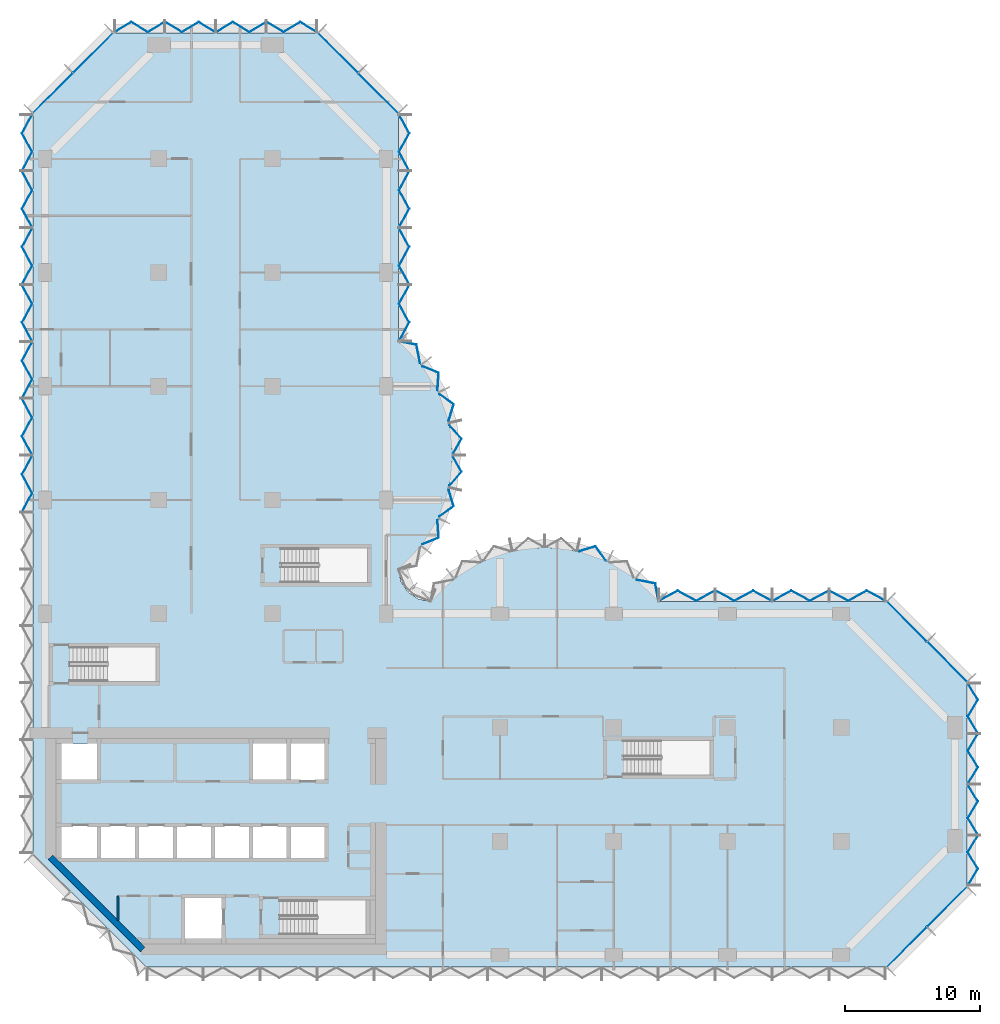
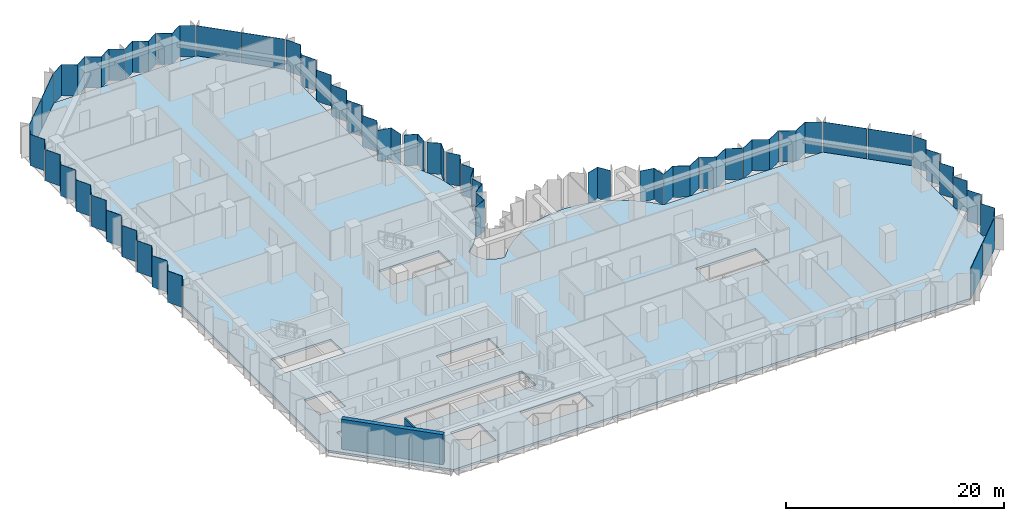
# One storey, part 6 of 13: 40 plates, 2 walls, 1 slab, 11 elements without a shape of their own.
"""IFC4 building model written with IfcOpenShell, lengths in metres."""

from ifc_helpers import new_model, si_unit, direction, frame, frame_2d, origin, place, context, subcontext, project, spatial, polyline, rectangle, outline, extrude, material, layer, layer_set, type_object, element, aggregate, save


model = new_model("IFC4")

# Units and contexts
model_context = context("Model", 3, precision=1e-05, world=origin(), true_north=direction((0.0, 1.0)))
body_context = subcontext(model_context, "Body", "Model", "MODEL_VIEW")
ifc_project = project(units=[si_unit("LENGTHUNIT", "METRE"), si_unit("AREAUNIT", "SQUARE_METRE"), si_unit("VOLUMEUNIT", "CUBIC_METRE"), si_unit("PLANEANGLEUNIT", "RADIAN"), si_unit("MASSUNIT", "GRAM", prefix="KILO")], contexts=[model_context])

# Site, building, storey
site_placement = place(None, origin())
site = spatial("IfcSite", under=ifc_project, at=site_placement, CompositionType="ELEMENT")
building_placement = place(site_placement, origin())
building = spatial("IfcBuilding", under=site, at=building_placement, Name="Brevane Broadcast Tower", CompositionType="ELEMENT")
storey_placement = place(building_placement, frame((0.0, 0.0, 106.10009765625)))
storey = spatial("IfcBuildingStorey", under=building, at=storey_placement, Name="L25", CompositionType="ELEMENT", Elevation=106.10009765625)

# Curtain wall, plates
ifc_material_1 = material(Name="Aluminium 6063-T6 bronze anodised", Category="aluminium")
curtain_wall_type = type_object("IfcCurtainWallType", Name="CW-1 curtain wall", PredefinedType="NOTDEFINED", material=ifc_material_1)
curtain_wall_1_placement = place(storey_placement, origin())
curtain_wall_1 = element("IfcCurtainWall", 1, at=curtain_wall_1_placement, inside=storey, type_object=curtain_wall_type, Name="CW-1 typical tilted unit L25 south-east chamfer", PredefinedType="NOTDEFINED")
ifc_material_2 = material(Name="Laminated glass bronze-tinted", Category="glass")
ifc_layer_1 = layer(ifc_material_2, 0.0400390625)
ifc_layer_set_1 = layer_set([ifc_layer_1], Name="CW tall glass panel 40")
plate_type = type_object("IfcPlateType", Name="CW tall glass panel 40", PredefinedType="CURTAIN_PANEL", material=ifc_layer_set_1)
plate_1_placement = place(storey_placement, frame((0.0, 0.0, -0.150146484375)))
plate_1 = element("IfcPlate", 2, at=plate_1_placement, type_object=plate_type, Name="CW-1 glass panel", PredefinedType="CURTAIN_PANEL", context=body_context, shape_type="SweptSolid", body=[
    extrude(outline(polyline([(62.14599609375, -0.896484375), (65.096435546875, 2.053955078125), (65.124755859375, 2.02587890625), (62.17431640625, -0.9248046875), (62.14599609375, -0.896484375)])), origin(), (0.0, 0.0, 1.0), 3.5),
])
plate_2_placement = place(storey_placement, frame((0.0, 0.0, -0.150146484375)))
plate_2 = element("IfcPlate", 3, at=plate_2_placement, type_object=plate_type, Name="CW-1 glass panel", PredefinedType="CURTAIN_PANEL", context=body_context, shape_type="SweptSolid", body=[
    extrude(outline(polyline([(65.14599609375, 2.103515625), (68.096435546875, 5.053955078125), (68.124755859375, 5.02587890625), (65.17431640625, 2.0751953125), (65.14599609375, 2.103515625)])), origin(), (0.0, 0.0, 1.0), 3.5),
])
aggregate(curtain_wall_1, [plate_1, plate_2])

curtain_wall_2_placement = place(storey_placement, origin())
curtain_wall_2 = element("IfcCurtainWall", 4, at=curtain_wall_2_placement, inside=storey, type_object=curtain_wall_type, Name="CW-1 typical tilted unit L25 east end", PredefinedType="NOTDEFINED")
plate_3_placement = place(storey_placement, frame((0.0, 0.0, -0.150146484375)))
plate_3 = element("IfcPlate", 5, at=plate_3_placement, type_object=plate_type, Name="CW-1 glass panel", PredefinedType="CURTAIN_PANEL", context=body_context, shape_type="SweptSolid", body=[
    extrude(outline(polyline([(68.126708984375, 5.135009765625), (68.17333984375, 5.135009765625), (68.917724609375, 6.36181640625), (68.17333984375, 7.58837890625), (68.917724609375, 8.81494140625), (68.87109375, 8.81494140625), (68.126708984375, 7.58837890625), (68.87109375, 6.36181640625), (68.126708984375, 5.135009765625)])), origin(), (0.0, 0.0, 1.0), 3.5),
])
plate_4_placement = place(storey_placement, frame((0.0, 0.0, -0.150146484375)))
plate_4 = element("IfcPlate", 6, at=plate_4_placement, type_object=plate_type, Name="CW-1 glass panel", PredefinedType="CURTAIN_PANEL", context=body_context, shape_type="SweptSolid", body=[
    extrude(outline(polyline([(68.87109375, 8.885009765625), (68.917724609375, 8.885009765625), (68.17333984375, 10.11181640625), (68.917724609375, 11.33837890625), (68.17333984375, 12.56494140625), (68.126708984375, 12.56494140625), (68.87109375, 11.33837890625), (68.126708984375, 10.11181640625), (68.87109375, 8.885009765625)])), origin(), (0.0, 0.0, 1.0), 3.5),
])
plate_5_placement = place(storey_placement, frame((0.0, 0.0, -0.150146484375)))
plate_5 = element("IfcPlate", 7, at=plate_5_placement, type_object=plate_type, Name="CW-1 glass panel", PredefinedType="CURTAIN_PANEL", context=body_context, shape_type="SweptSolid", body=[
    extrude(outline(polyline([(68.126708984375, 12.635009765625), (68.17333984375, 12.635009765625), (68.917724609375, 13.86181640625), (68.17333984375, 15.08837890625), (68.917724609375, 16.31494140625), (68.87109375, 16.31494140625), (68.126708984375, 15.08837890625), (68.87109375, 13.86181640625), (68.126708984375, 12.635009765625)])), origin(), (0.0, 0.0, 1.0), 3.5),
])
plate_6_placement = place(storey_placement, frame((0.0, 0.0, -0.150146484375)))
plate_6 = element("IfcPlate", 8, at=plate_6_placement, type_object=plate_type, Name="CW-1 glass panel", PredefinedType="CURTAIN_PANEL", context=body_context, shape_type="SweptSolid", body=[
    extrude(outline(polyline([(68.87109375, 16.385009765625), (68.917724609375, 16.385009765625), (68.17333984375, 17.61181640625), (68.917724609375, 18.83837890625), (68.17333984375, 20.06494140625), (68.126708984375, 20.06494140625), (68.87109375, 18.83837890625), (68.126708984375, 17.61181640625), (68.87109375, 16.385009765625)])), origin(), (0.0, 0.0, 1.0), 3.5),
])
aggregate(curtain_wall_2, [plate_3, plate_4, plate_5, plate_6])

curtain_wall_3_placement = place(storey_placement, origin())
curtain_wall_3 = element("IfcCurtainWall", 9, at=curtain_wall_3_placement, inside=storey, type_object=curtain_wall_type, Name="CW-1 typical tilted unit L25 north-east chamfer", PredefinedType="NOTDEFINED")
plate_7_placement = place(storey_placement, frame((0.0, 0.0, -0.150146484375)))
plate_7 = element("IfcPlate", 10, at=plate_7_placement, type_object=plate_type, Name="CW-1 glass panel", PredefinedType="CURTAIN_PANEL", context=body_context, shape_type="SweptSolid", body=[
    extrude(outline(polyline([(68.096435546875, 20.14599609375), (65.14599609375, 23.096435546875), (65.17431640625, 23.124755859375), (68.124755859375, 20.17431640625), (68.096435546875, 20.14599609375)])), origin(), (0.0, 0.0, 1.0), 3.5),
])
plate_8_placement = place(storey_placement, frame((0.0, 0.0, -0.150146484375)))
plate_8 = element("IfcPlate", 11, at=plate_8_placement, type_object=plate_type, Name="CW-1 glass panel", PredefinedType="CURTAIN_PANEL", context=body_context, shape_type="SweptSolid", body=[
    extrude(outline(polyline([(65.096435546875, 23.14599609375), (62.14599609375, 26.096435546875), (62.17431640625, 26.124755859375), (65.124755859375, 23.17431640625), (65.096435546875, 23.14599609375)])), origin(), (0.0, 0.0, 1.0), 3.5),
])
aggregate(curtain_wall_3, [plate_7, plate_8])

curtain_wall_4_placement = place(storey_placement, origin())
curtain_wall_4 = element("IfcCurtainWall", 12, at=curtain_wall_4_placement, inside=storey, type_object=curtain_wall_type, Name="CW-1 typical tilted unit L25 east arm north face", PredefinedType="NOTDEFINED")
plate_9_placement = place(storey_placement, frame((0.0, 0.0, -0.150146484375)))
plate_9 = element("IfcPlate", 13, at=plate_9_placement, type_object=plate_type, Name="CW-1 glass panel", PredefinedType="CURTAIN_PANEL", context=body_context, shape_type="SweptSolid", body=[
    extrude(outline(polyline([(62.06494140625, 26.127197265625), (62.06494140625, 26.172607421875), (60.688232421875, 26.9169921875), (59.311767578125, 26.172607421875), (57.93505859375, 26.9169921875), (57.93505859375, 26.87158203125), (59.311767578125, 26.127197265625), (60.688232421875, 26.87158203125), (62.06494140625, 26.127197265625)])), origin(), (0.0, 0.0, 1.0), 3.5),
])
plate_10_placement = place(storey_placement, frame((0.0, 0.0, -0.150146484375)))
plate_10 = element("IfcPlate", 14, at=plate_10_placement, type_object=plate_type, Name="CW-1 glass panel", PredefinedType="CURTAIN_PANEL", context=body_context, shape_type="SweptSolid", body=[
    extrude(outline(polyline([(57.864990234375, 26.87158203125), (57.864990234375, 26.9169921875), (56.48828125, 26.172607421875), (55.11181640625, 26.9169921875), (53.735107421875, 26.172607421875), (53.735107421875, 26.127197265625), (55.11181640625, 26.87158203125), (56.48828125, 26.127197265625), (57.864990234375, 26.87158203125)])), origin(), (0.0, 0.0, 1.0), 3.5),
])
plate_11_placement = place(storey_placement, frame((0.0, 0.0, -0.150146484375)))
plate_11 = element("IfcPlate", 15, at=plate_11_placement, type_object=plate_type, Name="CW-1 glass panel", PredefinedType="CURTAIN_PANEL", context=body_context, shape_type="SweptSolid", body=[
    extrude(outline(polyline([(53.6650390625, 26.127197265625), (53.6650390625, 26.172607421875), (52.288330078125, 26.9169921875), (50.91162109375, 26.172607421875), (49.534912109375, 26.9169921875), (49.534912109375, 26.87158203125), (50.91162109375, 26.127197265625), (52.288330078125, 26.87158203125), (53.6650390625, 26.127197265625)])), origin(), (0.0, 0.0, 1.0), 3.5),
])
plate_12_placement = place(storey_placement, frame((0.0, 0.0, -0.150146484375)))
plate_12 = element("IfcPlate", 16, at=plate_12_placement, type_object=plate_type, Name="CW-1 glass panel", PredefinedType="CURTAIN_PANEL", context=body_context, shape_type="SweptSolid", body=[
    extrude(outline(polyline([(49.465087890625, 26.87158203125), (49.465087890625, 26.9169921875), (48.08837890625, 26.172607421875), (46.711669921875, 26.9169921875), (45.3349609375, 26.172607421875), (45.3349609375, 26.127197265625), (46.711669921875, 26.87158203125), (48.08837890625, 26.127197265625), (49.465087890625, 26.87158203125)])), origin(), (0.0, 0.0, 1.0), 3.5),
])
aggregate(curtain_wall_4, [plate_9, plate_10, plate_11, plate_12])

curtain_wall_5_placement = place(storey_placement, origin())
curtain_wall_5 = element("IfcCurtainWall", 17, at=curtain_wall_5_placement, inside=storey, type_object=curtain_wall_type, Name="CW-1 typical tilted unit L25 east bow", PredefinedType="NOTDEFINED")
plate_13_placement = place(storey_placement, frame((0.0, 0.0, -0.150146484375)))
plate_13 = element("IfcPlate", 18, at=plate_13_placement, type_object=plate_type, Name="CW-1 glass panel", PredefinedType="CURTAIN_PANEL", context=body_context, shape_type="SweptSolid", body=[
    extrude(outline(polyline([(45.2939453125, 26.14404296875), (45.327880859375, 26.17919921875), (45.086181640625, 27.447265625), (43.738525390625, 27.71142578125), (43.7109375, 27.67626953125), (45.052001953125, 27.4130859375), (45.2939453125, 26.14404296875)])), origin(), (0.0, 0.0, 1.0), 3.5),
])
plate_14_placement = place(storey_placement, frame((0.0, 0.0, -0.150146484375)))
plate_14 = element("IfcPlate", 19, at=plate_14_placement, type_object=plate_type, Name="CW-1 glass panel", PredefinedType="CURTAIN_PANEL", context=body_context, shape_type="SweptSolid", body=[
    extrude(outline(polyline([(41.3994140625, 29.104248046875), (41.4189453125, 29.1455078125), (40.667724609375, 30.20166015625), (39.45068359375, 29.83349609375), (39.440185546875, 29.78857421875), (40.65185546875, 30.155029296875), (41.3994140625, 29.104248046875)])), origin(), (0.0, 0.0, 1.0), 3.5),
])
aggregate(curtain_wall_5, [plate_13, plate_14])

curtain_wall_6_placement = place(storey_placement, origin())
curtain_wall_6 = element("IfcCurtainWall", 20, at=curtain_wall_6_placement, inside=storey, type_object=curtain_wall_type, Name="CW-1 typical tilted unit L25 north bow", PredefinedType="NOTDEFINED")
plate_15_placement = place(storey_placement, frame((0.0, 0.0, -0.150146484375)))
plate_15 = element("IfcPlate", 21, at=plate_15_placement, type_object=plate_type, Name="CW-1 glass panel", PredefinedType="CURTAIN_PANEL", context=body_context, shape_type="SweptSolid", body=[
    extrude(outline(polyline([(27.8759765625, 30.343017578125), (27.912109375, 30.314697265625), (29.089111328125, 30.7958984375), (29.006591796875, 32.08935546875), (28.96533203125, 32.10888671875), (29.04736328125, 30.822265625), (27.8759765625, 30.343017578125)])), origin(), (0.0, 0.0, 1.0), 3.5),
])
plate_16_placement = place(storey_placement, frame((0.0, 0.0, -0.150146484375)))
plate_16 = element("IfcPlate", 22, at=plate_16_placement, type_object=plate_type, Name="CW-1 glass panel", PredefinedType="CURTAIN_PANEL", context=body_context, shape_type="SweptSolid", body=[
    extrude(outline(polyline([(29.104248046875, 32.400634765625), (29.1455078125, 32.381103515625), (30.20166015625, 33.132080078125), (29.83349609375, 34.349365234375), (29.78857421875, 34.359619140625), (30.155029296875, 33.148193359375), (29.104248046875, 32.400634765625)])), origin(), (0.0, 0.0, 1.0), 3.5),
])
plate_17_placement = place(storey_placement, frame((0.0, 0.0, -0.150146484375)))
plate_17 = element("IfcPlate", 23, at=plate_17_placement, type_object=plate_type, Name="CW-1 glass panel", PredefinedType="CURTAIN_PANEL", context=body_context, shape_type="SweptSolid", body=[
    extrude(outline(polyline([(29.859619140625, 34.6748046875), (29.903564453125, 34.664794921875), (30.779296875, 35.68310546875), (30.15869140625, 36.7919921875), (30.11279296875, 36.7919921875), (30.730712890625, 35.68798828125), (29.859619140625, 34.6748046875)])), origin(), (0.0, 0.0, 1.0), 3.5),
])
plate_18_placement = place(storey_placement, frame((0.0, 0.0, -0.150146484375)))
plate_18 = element("IfcPlate", 24, at=plate_18_placement, type_object=plate_type, Name="CW-1 glass panel", PredefinedType="CURTAIN_PANEL", context=body_context, shape_type="SweptSolid", body=[
    extrude(outline(polyline([(30.11279296875, 37.008056640625), (30.15869140625, 37.008056640625), (30.779296875, 38.116943359375), (29.903564453125, 39.13525390625), (29.859619140625, 39.125), (30.730712890625, 38.112060546875), (30.11279296875, 37.008056640625)])), origin(), (0.0, 0.0, 1.0), 3.5),
])
plate_19_placement = place(storey_placement, frame((0.0, 0.0, -0.150146484375)))
plate_19 = element("IfcPlate", 25, at=plate_19_placement, type_object=plate_type, Name="CW-1 glass panel", PredefinedType="CURTAIN_PANEL", context=body_context, shape_type="SweptSolid", body=[
    extrude(outline(polyline([(29.78857421875, 39.440185546875), (29.83349609375, 39.45068359375), (30.20166015625, 40.667724609375), (29.1455078125, 41.4189453125), (29.104248046875, 41.3994140625), (30.155029296875, 40.65185546875), (29.78857421875, 39.440185546875)])), origin(), (0.0, 0.0, 1.0), 3.5),
])
plate_20_placement = place(storey_placement, frame((0.0, 0.0, -0.150146484375)))
plate_20 = element("IfcPlate", 26, at=plate_20_placement, type_object=plate_type, Name="CW-1 glass panel", PredefinedType="CURTAIN_PANEL", context=body_context, shape_type="SweptSolid", body=[
    extrude(outline(polyline([(28.96533203125, 41.69091796875), (29.006591796875, 41.710693359375), (29.089111328125, 43.00390625), (27.912109375, 43.4853515625), (27.8759765625, 43.45703125), (29.04736328125, 42.977783203125), (28.96533203125, 41.69091796875)])), origin(), (0.0, 0.0, 1.0), 3.5),
])
plate_21_placement = place(storey_placement, frame((0.0, 0.0, -0.150146484375)))
plate_21 = element("IfcPlate", 27, at=plate_21_placement, type_object=plate_type, Name="CW-1 glass panel", PredefinedType="CURTAIN_PANEL", context=body_context, shape_type="SweptSolid", body=[
    extrude(outline(polyline([(27.67626953125, 43.7109375), (27.71142578125, 43.738525390625), (27.447265625, 45.086181640625), (26.17919921875, 45.327880859375), (26.14404296875, 45.2939453125), (27.4130859375, 45.052001953125), (27.67626953125, 43.7109375)])), origin(), (0.0, 0.0, 1.0), 3.5),
])
aggregate(curtain_wall_6, [plate_15, plate_16, plate_17, plate_18, plate_19, plate_20, plate_21])

curtain_wall_7_placement = place(storey_placement, origin())
curtain_wall_7 = element("IfcCurtainWall", 28, at=curtain_wall_7_placement, inside=storey, type_object=curtain_wall_type, Name="CW-1 typical tilted unit L25 north arm east face", PredefinedType="NOTDEFINED")
plate_22_placement = place(storey_placement, frame((0.0, 0.0, -0.150146484375)))
plate_22 = element("IfcPlate", 29, at=plate_22_placement, type_object=plate_type, Name="CW-1 glass panel", PredefinedType="CURTAIN_PANEL", context=body_context, shape_type="SweptSolid", body=[
    extrude(outline(polyline([(26.127197265625, 45.3349609375), (26.172607421875, 45.3349609375), (26.9169921875, 46.711669921875), (26.172607421875, 48.08837890625), (26.9169921875, 49.465087890625), (26.87158203125, 49.465087890625), (26.127197265625, 48.08837890625), (26.87158203125, 46.711669921875), (26.127197265625, 45.3349609375)])), origin(), (0.0, 0.0, 1.0), 3.5),
])
plate_23_placement = place(storey_placement, frame((0.0, 0.0, -0.150146484375)))
plate_23 = element("IfcPlate", 30, at=plate_23_placement, type_object=plate_type, Name="CW-1 glass panel", PredefinedType="CURTAIN_PANEL", context=body_context, shape_type="SweptSolid", body=[
    extrude(outline(polyline([(26.87158203125, 49.534912109375), (26.9169921875, 49.534912109375), (26.172607421875, 50.91162109375), (26.9169921875, 52.288330078125), (26.172607421875, 53.6650390625), (26.127197265625, 53.6650390625), (26.87158203125, 52.288330078125), (26.127197265625, 50.91162109375), (26.87158203125, 49.534912109375)])), origin(), (0.0, 0.0, 1.0), 3.5),
])
plate_24_placement = place(storey_placement, frame((0.0, 0.0, -0.150146484375)))
plate_24 = element("IfcPlate", 31, at=plate_24_placement, type_object=plate_type, Name="CW-1 glass panel", PredefinedType="CURTAIN_PANEL", context=body_context, shape_type="SweptSolid", body=[
    extrude(outline(polyline([(26.127197265625, 53.735107421875), (26.172607421875, 53.735107421875), (26.9169921875, 55.11181640625), (26.172607421875, 56.48828125), (26.9169921875, 57.864990234375), (26.87158203125, 57.864990234375), (26.127197265625, 56.48828125), (26.87158203125, 55.11181640625), (26.127197265625, 53.735107421875)])), origin(), (0.0, 0.0, 1.0), 3.5),
])
plate_25_placement = place(storey_placement, frame((0.0, 0.0, -0.150146484375)))
plate_25 = element("IfcPlate", 32, at=plate_25_placement, type_object=plate_type, Name="CW-1 glass panel", PredefinedType="CURTAIN_PANEL", context=body_context, shape_type="SweptSolid", body=[
    extrude(outline(polyline([(26.87158203125, 57.93505859375), (26.9169921875, 57.93505859375), (26.172607421875, 59.311767578125), (26.9169921875, 60.688232421875), (26.172607421875, 62.06494140625), (26.127197265625, 62.06494140625), (26.87158203125, 60.688232421875), (26.127197265625, 59.311767578125), (26.87158203125, 57.93505859375)])), origin(), (0.0, 0.0, 1.0), 3.5),
])
aggregate(curtain_wall_7, [plate_22, plate_23, plate_24, plate_25])

curtain_wall_8_placement = place(storey_placement, origin())
curtain_wall_8 = element("IfcCurtainWall", 33, at=curtain_wall_8_placement, inside=storey, type_object=curtain_wall_type, Name="CW-1 typical tilted unit L25 north arm north-east chamfer", PredefinedType="NOTDEFINED")
plate_26_placement = place(storey_placement, frame((0.0, 0.0, -0.150146484375)))
plate_26 = element("IfcPlate", 34, at=plate_26_placement, type_object=plate_type, Name="CW-1 glass panel", PredefinedType="CURTAIN_PANEL", context=body_context, shape_type="SweptSolid", body=[
    extrude(outline(polyline([(26.096435546875, 62.14599609375), (23.14599609375, 65.096435546875), (23.17431640625, 65.124755859375), (26.124755859375, 62.17431640625), (26.096435546875, 62.14599609375)])), origin(), (0.0, 0.0, 1.0), 3.5),
])
plate_27_placement = place(storey_placement, frame((0.0, 0.0, -0.150146484375)))
plate_27 = element("IfcPlate", 35, at=plate_27_placement, type_object=plate_type, Name="CW-1 glass panel", PredefinedType="CURTAIN_PANEL", context=body_context, shape_type="SweptSolid", body=[
    extrude(outline(polyline([(23.096435546875, 65.14599609375), (20.14599609375, 68.096435546875), (20.17431640625, 68.124755859375), (23.124755859375, 65.17431640625), (23.096435546875, 65.14599609375)])), origin(), (0.0, 0.0, 1.0), 3.5),
])
aggregate(curtain_wall_8, [plate_26, plate_27])

curtain_wall_9_placement = place(storey_placement, origin())
curtain_wall_9 = element("IfcCurtainWall", 36, at=curtain_wall_9_placement, inside=storey, type_object=curtain_wall_type, Name="CW-1 typical tilted unit L25 north end", PredefinedType="NOTDEFINED")
plate_28_placement = place(storey_placement, frame((0.0, 0.0, -0.150146484375)))
plate_28 = element("IfcPlate", 37, at=plate_28_placement, type_object=plate_type, Name="CW-1 glass panel", PredefinedType="CURTAIN_PANEL", context=body_context, shape_type="SweptSolid", body=[
    extrude(outline(polyline([(20.06494140625, 68.126708984375), (20.06494140625, 68.17333984375), (18.83837890625, 68.917724609375), (17.61181640625, 68.17333984375), (16.385009765625, 68.917724609375), (16.385009765625, 68.87109375), (17.61181640625, 68.126708984375), (18.83837890625, 68.87109375), (20.06494140625, 68.126708984375)])), origin(), (0.0, 0.0, 1.0), 3.5),
])
plate_29_placement = place(storey_placement, frame((0.0, 0.0, -0.150146484375)))
plate_29 = element("IfcPlate", 38, at=plate_29_placement, type_object=plate_type, Name="CW-1 glass panel", PredefinedType="CURTAIN_PANEL", context=body_context, shape_type="SweptSolid", body=[
    extrude(outline(polyline([(16.31494140625, 68.87109375), (16.31494140625, 68.917724609375), (15.08837890625, 68.17333984375), (13.86181640625, 68.917724609375), (12.635009765625, 68.17333984375), (12.635009765625, 68.126708984375), (13.86181640625, 68.87109375), (15.08837890625, 68.126708984375), (16.31494140625, 68.87109375)])), origin(), (0.0, 0.0, 1.0), 3.5),
])
plate_30_placement = place(storey_placement, frame((0.0, 0.0, -0.150146484375)))
plate_30 = element("IfcPlate", 39, at=plate_30_placement, type_object=plate_type, Name="CW-1 glass panel", PredefinedType="CURTAIN_PANEL", context=body_context, shape_type="SweptSolid", body=[
    extrude(outline(polyline([(12.56494140625, 68.126708984375), (12.56494140625, 68.17333984375), (11.33837890625, 68.917724609375), (10.11181640625, 68.17333984375), (8.885009765625, 68.917724609375), (8.885009765625, 68.87109375), (10.11181640625, 68.126708984375), (11.33837890625, 68.87109375), (12.56494140625, 68.126708984375)])), origin(), (0.0, 0.0, 1.0), 3.5),
])
plate_31_placement = place(storey_placement, frame((0.0, 0.0, -0.150146484375)))
plate_31 = element("IfcPlate", 40, at=plate_31_placement, type_object=plate_type, Name="CW-1 glass panel", PredefinedType="CURTAIN_PANEL", context=body_context, shape_type="SweptSolid", body=[
    extrude(outline(polyline([(8.81494140625, 68.87109375), (8.81494140625, 68.917724609375), (7.58837890625, 68.17333984375), (6.36181640625, 68.917724609375), (5.135009765625, 68.17333984375), (5.135009765625, 68.126708984375), (6.36181640625, 68.87109375), (7.58837890625, 68.126708984375), (8.81494140625, 68.87109375)])), origin(), (0.0, 0.0, 1.0), 3.5),
])
aggregate(curtain_wall_9, [plate_28, plate_29, plate_30, plate_31])

curtain_wall_10_placement = place(storey_placement, origin())
curtain_wall_10 = element("IfcCurtainWall", 41, at=curtain_wall_10_placement, inside=storey, type_object=curtain_wall_type, Name="CW-1 typical tilted unit L25 north-west chamfer", PredefinedType="NOTDEFINED")
plate_32_placement = place(storey_placement, frame((0.0, 0.0, -0.150146484375)))
plate_32 = element("IfcPlate", 42, at=plate_32_placement, type_object=plate_type, Name="CW-1 glass panel", PredefinedType="CURTAIN_PANEL", context=body_context, shape_type="SweptSolid", body=[
    extrude(outline(polyline([(5.053955078125, 68.096435546875), (2.103515625, 65.14599609375), (2.0751953125, 65.17431640625), (5.02587890625, 68.124755859375), (5.053955078125, 68.096435546875)])), origin(), (0.0, 0.0, 1.0), 3.5),
])
plate_33_placement = place(storey_placement, frame((0.0, 0.0, -0.150146484375)))
plate_33 = element("IfcPlate", 43, at=plate_33_placement, type_object=plate_type, Name="CW-1 glass panel", PredefinedType="CURTAIN_PANEL", context=body_context, shape_type="SweptSolid", body=[
    extrude(outline(polyline([(2.053955078125, 65.096435546875), (-0.896484375, 62.14599609375), (-0.9248046875, 62.17431640625), (2.02587890625, 65.124755859375), (2.053955078125, 65.096435546875)])), origin(), (0.0, 0.0, 1.0), 3.5),
])
aggregate(curtain_wall_10, [plate_32, plate_33])

curtain_wall_11_placement = place(storey_placement, origin())
curtain_wall_11 = element("IfcCurtainWall", 44, at=curtain_wall_11_placement, inside=storey, type_object=curtain_wall_type, Name="CW-1 typical tilted unit L25 west face", PredefinedType="NOTDEFINED")
plate_34_placement = place(storey_placement, frame((0.0, 0.0, -0.150146484375)))
plate_34 = element("IfcPlate", 45, at=plate_34_placement, type_object=plate_type, Name="CW-1 glass panel", PredefinedType="CURTAIN_PANEL", context=body_context, shape_type="SweptSolid", body=[
    extrude(outline(polyline([(-0.92724609375, 62.06494140625), (-0.97265625, 62.06494140625), (-1.717041015625, 60.688232421875), (-0.97265625, 59.311767578125), (-1.717041015625, 57.93505859375), (-1.671630859375, 57.93505859375), (-0.92724609375, 59.311767578125), (-1.671630859375, 60.688232421875), (-0.92724609375, 62.06494140625)])), origin(), (0.0, 0.0, 1.0), 3.5),
])
plate_35_placement = place(storey_placement, frame((0.0, 0.0, -0.150146484375)))
plate_35 = element("IfcPlate", 46, at=plate_35_placement, type_object=plate_type, Name="CW-1 glass panel", PredefinedType="CURTAIN_PANEL", context=body_context, shape_type="SweptSolid", body=[
    extrude(outline(polyline([(-1.671630859375, 57.864990234375), (-1.717041015625, 57.864990234375), (-0.97265625, 56.48828125), (-1.717041015625, 55.11181640625), (-0.97265625, 53.735107421875), (-0.92724609375, 53.735107421875), (-1.671630859375, 55.11181640625), (-0.92724609375, 56.48828125), (-1.671630859375, 57.864990234375)])), origin(), (0.0, 0.0, 1.0), 3.5),
])
plate_36_placement = place(storey_placement, frame((0.0, 0.0, -0.150146484375)))
plate_36 = element("IfcPlate", 47, at=plate_36_placement, type_object=plate_type, Name="CW-1 glass panel", PredefinedType="CURTAIN_PANEL", context=body_context, shape_type="SweptSolid", body=[
    extrude(outline(polyline([(-0.92724609375, 53.6650390625), (-0.97265625, 53.6650390625), (-1.717041015625, 52.288330078125), (-0.97265625, 50.91162109375), (-1.717041015625, 49.534912109375), (-1.671630859375, 49.534912109375), (-0.92724609375, 50.91162109375), (-1.671630859375, 52.288330078125), (-0.92724609375, 53.6650390625)])), origin(), (0.0, 0.0, 1.0), 3.5),
])
plate_37_placement = place(storey_placement, frame((0.0, 0.0, -0.150146484375)))
plate_37 = element("IfcPlate", 48, at=plate_37_placement, type_object=plate_type, Name="CW-1 glass panel", PredefinedType="CURTAIN_PANEL", context=body_context, shape_type="SweptSolid", body=[
    extrude(outline(polyline([(-1.671630859375, 49.465087890625), (-1.717041015625, 49.465087890625), (-0.97265625, 48.08837890625), (-1.717041015625, 46.711669921875), (-0.97265625, 45.3349609375), (-0.92724609375, 45.3349609375), (-1.671630859375, 46.711669921875), (-0.92724609375, 48.08837890625), (-1.671630859375, 49.465087890625)])), origin(), (0.0, 0.0, 1.0), 3.5),
])
plate_38_placement = place(storey_placement, frame((0.0, 0.0, -0.150146484375)))
plate_38 = element("IfcPlate", 49, at=plate_38_placement, type_object=plate_type, Name="CW-1 glass panel", PredefinedType="CURTAIN_PANEL", context=body_context, shape_type="SweptSolid", body=[
    extrude(outline(polyline([(-0.92724609375, 45.264892578125), (-0.97265625, 45.264892578125), (-1.717041015625, 43.88818359375), (-0.97265625, 42.51171875), (-1.717041015625, 41.135009765625), (-1.671630859375, 41.135009765625), (-0.92724609375, 42.51171875), (-1.671630859375, 43.88818359375), (-0.92724609375, 45.264892578125)])), origin(), (0.0, 0.0, 1.0), 3.5),
])
plate_39_placement = place(storey_placement, frame((0.0, 0.0, -0.150146484375)))
plate_39 = element("IfcPlate", 50, at=plate_39_placement, type_object=plate_type, Name="CW-1 glass panel", PredefinedType="CURTAIN_PANEL", context=body_context, shape_type="SweptSolid", body=[
    extrude(outline(polyline([(-1.671630859375, 41.06494140625), (-1.717041015625, 41.06494140625), (-0.97265625, 39.688232421875), (-1.717041015625, 38.311767578125), (-0.97265625, 36.93505859375), (-0.92724609375, 36.93505859375), (-1.671630859375, 38.311767578125), (-0.92724609375, 39.688232421875), (-1.671630859375, 41.06494140625)])), origin(), (0.0, 0.0, 1.0), 3.5),
])
plate_40_placement = place(storey_placement, frame((0.0, 0.0, -0.150146484375)))
plate_40 = element("IfcPlate", 51, at=plate_40_placement, type_object=plate_type, Name="CW-1 glass panel", PredefinedType="CURTAIN_PANEL", context=body_context, shape_type="SweptSolid", body=[
    extrude(outline(polyline([(-0.92724609375, 36.864990234375), (-0.97265625, 36.864990234375), (-1.717041015625, 35.48828125), (-0.97265625, 34.11181640625), (-1.717041015625, 32.735107421875), (-1.671630859375, 32.735107421875), (-0.92724609375, 34.11181640625), (-1.671630859375, 35.48828125), (-0.92724609375, 36.864990234375)])), origin(), (0.0, 0.0, 1.0), 3.5),
])
aggregate(curtain_wall_11, [plate_34, plate_35, plate_36, plate_37, plate_38, plate_39, plate_40])

# Slab
ifc_material_3 = material(Name="Concrete C40/50", Category="concrete")
ifc_layer_2 = layer(ifc_material_3, 0.25)
ifc_layer_set_2 = layer_set([ifc_layer_2], Name="RC FLOOR SLAB 250 C40/50")
slab_type = type_object("IfcSlabType", Name="RC FLOOR SLAB 250 C40/50", PredefinedType="FLOOR", material=ifc_layer_set_2)
slab_placement = place(storey_placement, frame((0.0, 0.0, -0.25)))
element("IfcSlab", 52, at=slab_placement, inside=storey, type_object=slab_type, Name="SL250 L25", PredefinedType="FLOOR", context=body_context, shape_type="SweptSolid", body=[
    extrude(outline(polyline([(-0.89990234375, 7.5), (-0.89990234375, 62.10009765625), (5.10009765625, 68.10009765625), (20.10009765625, 68.10009765625), (26.10009765625, 62.10009765625), (26.10009765625, 45.300048828125), (27.10888671875, 44.36865234375), (27.99169921875, 43.317138671875), (28.734130859375, 42.162353515625), (29.324462890625, 40.922607421875), (29.7529296875, 39.618408203125), (30.012939453125, 38.270263671875), (30.10009765625, 36.89990234375), (30.012939453125, 35.52978515625), (29.7529296875, 34.181640625), (29.324462890625, 32.877197265625), (28.734130859375, 31.6376953125), (27.99169921875, 30.48291015625), (27.10888671875, 29.431396484375), (26.10009765625, 28.5), (26.28271484375, 27.58154296875), (26.802978515625, 26.802978515625), (27.58154296875, 26.28271484375), (28.5, 26.10009765625), (29.431396484375, 27.10888671875), (30.48291015625, 27.99169921875), (31.6376953125, 28.734130859375), (32.877197265625, 29.324462890625), (34.181640625, 29.7529296875), (35.52978515625, 30.012939453125), (36.89990234375, 30.10009765625), (38.270263671875, 30.012939453125), (39.618408203125, 29.7529296875), (40.922607421875, 29.324462890625), (42.162353515625, 28.734130859375), (43.317138671875, 27.99169921875), (44.36865234375, 27.10888671875), (45.300048828125, 26.10009765625), (62.10009765625, 26.10009765625), (68.10009765625, 20.10009765625), (68.10009765625, 5.10009765625), (62.10009765625, -0.89990234375), (7.5, -0.89990234375), (-0.89990234375, 7.5)]), holes=[polyline([(13.199951171875, 4.39990234375), (10.199951171875, 4.39990234375), (10.199951171875, 1.199951171875), (13.199951171875, 1.199951171875), (13.199951171875, 4.39990234375)]), polyline([(4.0, 9.60009765625), (1.199951171875, 9.60009765625), (1.199951171875, 7.0), (4.0, 7.0), (6.800048828125, 7.0), (9.60009765625, 7.0), (12.39990234375, 7.0), (15.199951171875, 7.0), (18.0, 7.0), (20.800048828125, 7.0), (20.800048828125, 9.60009765625), (18.0, 9.60009765625), (15.199951171875, 9.60009765625), (12.39990234375, 9.60009765625), (9.60009765625, 9.60009765625), (6.800048828125, 9.60009765625), (4.0, 9.60009765625)]), polyline([(4.0, 12.800048828125), (4.0, 15.60009765625), (1.199951171875, 15.60009765625), (1.199951171875, 12.800048828125), (4.0, 12.800048828125)]), polyline([(8.199951171875, 22.75), (1.860107421875, 22.75), (1.860107421875, 20.199951171875), (8.199951171875, 20.199951171875), (8.199951171875, 22.75)]), polyline([(23.699951171875, 4.050048828125), (17.360107421875, 4.050048828125), (17.360107421875, 1.5), (23.699951171875, 1.5), (23.699951171875, 4.050048828125)]), polyline([(18.0, 15.60009765625), (15.199951171875, 15.60009765625), (15.199951171875, 12.800048828125), (18.0, 12.800048828125), (20.800048828125, 12.800048828125), (20.800048828125, 15.60009765625), (18.0, 15.60009765625)]), polyline([(49.10009765625, 15.85009765625), (42.760009765625, 15.85009765625), (42.760009765625, 13.300048828125), (49.10009765625, 13.300048828125), (49.10009765625, 15.85009765625)]), polyline([(23.800048828125, 30.050048828125), (17.4599609375, 30.050048828125), (17.4599609375, 27.5), (23.800048828125, 27.5), (23.800048828125, 30.050048828125)])]), origin(), (0.0, 0.0, 1.0), 0.25),
])

# Walls
ifc_material_4 = material(Name="Gypsum board on steel studs", Category="steel")
ifc_layer_3 = layer(ifc_material_4, 0.14990234375)
ifc_layer_set_3 = layer_set([ifc_layer_3], Name="Core fire partition 150 mm")
wall_type_1 = type_object("IfcWallType", Name="Core fire partition 150 mm", PredefinedType="PARTITIONING", material=ifc_layer_set_3)
wall_1_placement = place(storey_placement, frame((5.39990234375, 2.553466796875, 0.0), z_axis=(0.0, 0.0, 1.0), x_axis=(0.0, 1.0, 0.0)))
element("IfcWall", 53, at=wall_1_placement, inside=storey, type_object=wall_type_1, Name="L25 partition wall P10", PredefinedType="PARTITIONING", context=body_context, shape_type="SweptSolid", body=[
    extrude(rectangle(XDim=1.796630859375, YDim=0.14990234375, at=frame_2d((0.8984375, 0.0))), origin(), (0.0, 0.0, 1.0), 3.349853515625),
])
ifc_material_5 = material(Name="Concrete C60/75", Category="concrete")
ifc_layer_4 = layer(ifc_material_5, 0.449951171875)
ifc_layer_set_4 = layer_set([ifc_layer_4], Name="Core wall 450 mm C60/75")
wall_type_2 = type_object("IfcWallType", Name="Core wall 450 mm C60/75", PredefinedType="SHEAR", material=ifc_layer_set_4)
wall_2_placement = place(storey_placement, frame((0.39990234375, 7.21826171875, 0.0), z_axis=(0.0, 0.0, 1.0), x_axis=(0.707106781187, -0.707106781187, 0.0)))
element("IfcWall", 54, at=wall_2_placement, inside=storey, type_object=wall_type_2, Name="L25 outer wall WC", PredefinedType="SHEAR", context=body_context, shape_type="SweptSolid", body=[
    extrude(rectangle(XDim=9.642578125, YDim=0.449951171875, at=frame_2d((4.8212890625, 0.0))), origin(), (0.0, 0.0, 1.0), 3.349853515625),
])

save(model, "model.ifc")
